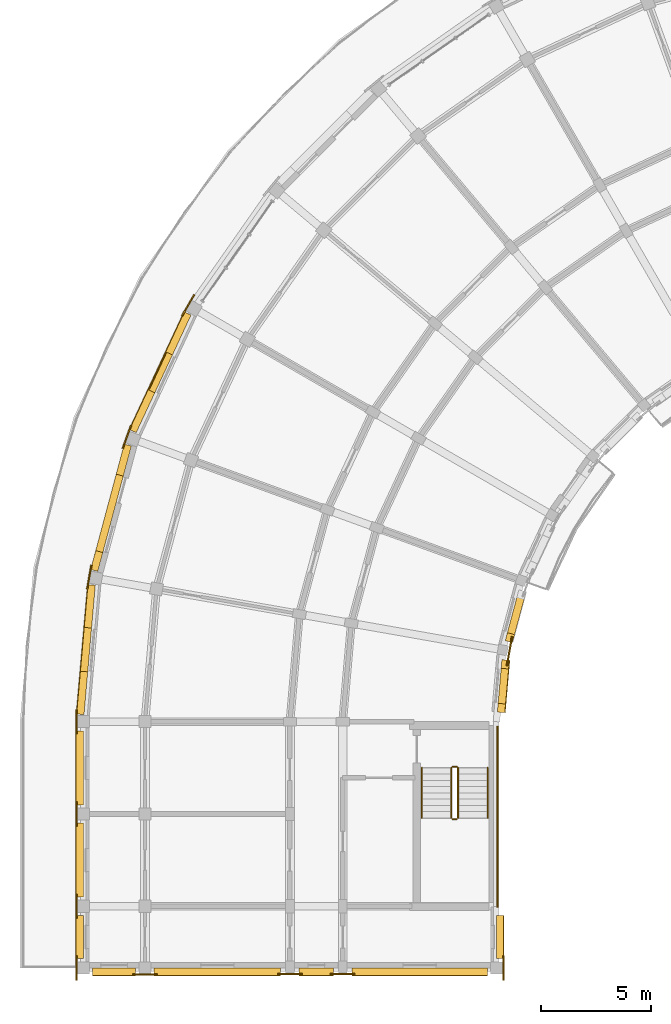
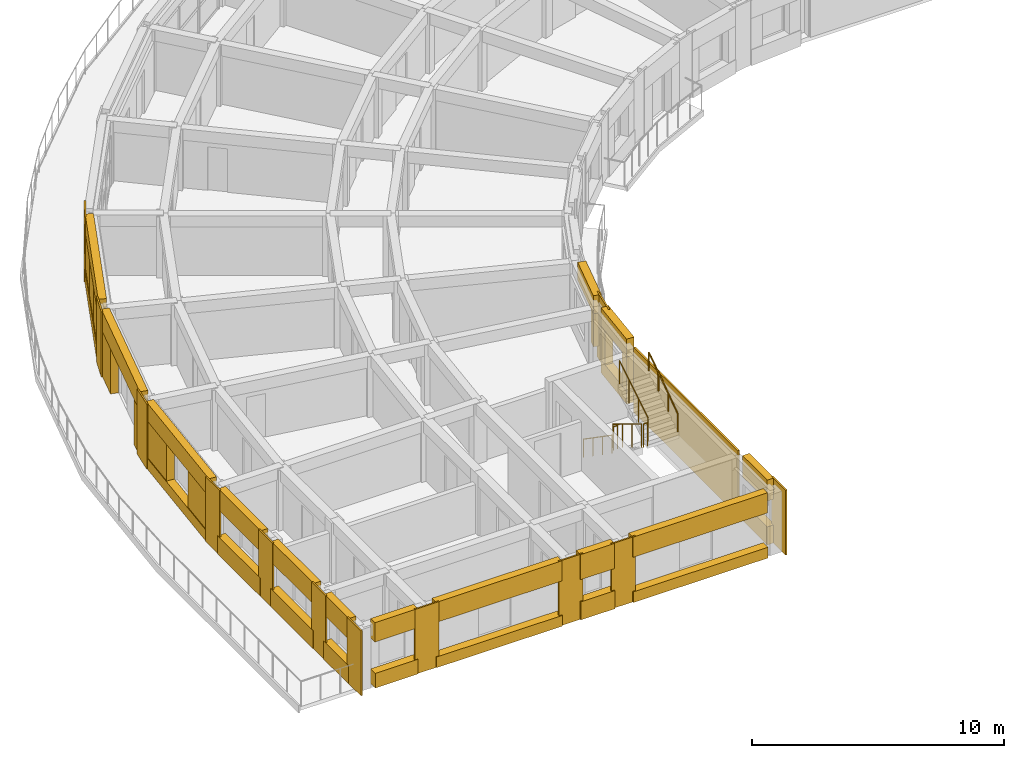
# One storey, part 12 of 16: 46 coverings, 6 railings, 1 shading device.
"""IFC4 building model written with IfcOpenShell, lengths in metres."""

from ifc_helpers import new_model, si_unit, direction, frame, origin, origin_2d, place, context, subcontext, project, spatial, polyline, rectangle, circle, outline, extrude, material, layer, layer_set, type_object, element, save


model = new_model("IFC4")

# Units and contexts
model_context = context("Model", 3, precision=1e-05, world=origin(), true_north=direction((0.0, 1.0)))
body_context = subcontext(model_context, "Body", "Model", "MODEL_VIEW")
ifc_project = project(units=[si_unit("LENGTHUNIT", "METRE"), si_unit("AREAUNIT", "SQUARE_METRE"), si_unit("VOLUMEUNIT", "CUBIC_METRE"), si_unit("PLANEANGLEUNIT", "RADIAN"), si_unit("MASSUNIT", "GRAM", prefix="KILO")], contexts=[model_context])

# Site, building, storey
site_placement = place(None, origin())
site = spatial("IfcSite", under=ifc_project, at=site_placement, CompositionType="ELEMENT")
building_placement = place(site_placement, origin())
building = spatial("IfcBuilding", under=site, at=building_placement, Name="Kiranvali Square Residences", CompositionType="ELEMENT")
storey_placement = place(building_placement, frame((0.0, 0.0, 46.5)))
storey = spatial("IfcBuildingStorey", under=building, at=storey_placement, Name="L14", CompositionType="ELEMENT", Elevation=46.5)

# Coverings
ifc_material_1 = material(Name="Honed Porbandar limestone ashlar facade cladding", Category="masonry")
ifc_layer_1 = layer(ifc_material_1, 0.3798828125)
ifc_layer_set_1 = layer_set([ifc_layer_1], Name="Honed Porbandar limestone ashlar facade cladding")
covering_type_1 = type_object("IfcCoveringType", Name="COV-CLAD-JAMB", PredefinedType="CLADDING", material=ifc_layer_set_1)
covering_1_placement = place(storey_placement, frame((0.0, 0.0, 0.6298828125)))
element("IfcCovering", 1, at=covering_1_placement, inside=storey, type_object=covering_type_1, Name="L14 deep limestone window jamb reveal A-L14-CRV-06.L", PredefinedType="CLADDING", context=body_context, shape_type="SweptSolid", body=[
    extrude(outline(polyline([(15.196533203125, 106.447021484375), (14.350341796875, 104.632568359375), (14.653564453125, 104.4912109375), (15.499755859375, 106.3056640625), (15.196533203125, 106.447021484375)])), origin(), (0.0, 0.0, 1.0), 1.650146484375),
])
covering_2_placement = place(storey_placement, frame((0.0, 0.0, 0.6298828125)))
element("IfcCovering", 2, at=covering_2_placement, inside=storey, type_object=covering_type_1, Name="L14 deep limestone window jamb reveal A-L14-CRV-06.R", PredefinedType="CLADDING", context=body_context, shape_type="SweptSolid", body=[
    extrude(outline(polyline([(13.54736328125, 102.91064453125), (12.701171875, 101.09619140625), (13.00439453125, 100.954833984375), (13.8505859375, 102.769287109375), (13.54736328125, 102.91064453125)])), origin(), (0.0, 0.0, 1.0), 1.650146484375),
])
covering_3_placement = place(storey_placement, origin())
element("IfcCovering", 3, at=covering_3_placement, inside=storey, type_object=covering_type_1, Name="L14 deep limestone window jamb reveal A-L14-CRV-07.L", PredefinedType="CLADDING", context=body_context, shape_type="SweptSolid", body=[
    extrude(outline(polyline([(12.4599609375, 100.432861328125), (12.09326171875, 99.064453125), (12.416259765625, 98.97802734375), (12.782958984375, 100.34619140625), (12.4599609375, 100.432861328125)])), origin(), (0.0, 0.0, 1.0), 2.179931640625),
])
covering_4_placement = place(storey_placement, origin())
element("IfcCovering", 4, at=covering_4_placement, inside=storey, type_object=covering_type_1, Name="L14 deep limestone window jamb reveal A-L14-CRV-07.R", PredefinedType="CLADDING", context=body_context, shape_type="SweptSolid", body=[
    extrude(outline(polyline([(11.160888671875, 95.584716796875), (10.931640625, 94.729736328125), (11.2548828125, 94.643310546875), (11.48388671875, 95.498046875), (11.160888671875, 95.584716796875)])), origin(), (0.0, 0.0, 1.0), 2.179931640625),
])
covering_5_placement = place(storey_placement, frame((0.0, 0.0, 0.530029296875)))
element("IfcCovering", 5, at=covering_5_placement, inside=storey, type_object=covering_type_1, Name="L14 deep limestone window jamb reveal A-L14-CRV-08.L", PredefinedType="CLADDING", context=body_context, shape_type="SweptSolid", body=[
    extrude(outline(polyline([(10.80908203125, 94.03466796875), (10.63916015625, 92.090087890625), (10.97216796875, 92.060791015625), (11.142333984375, 94.00537109375), (10.80908203125, 94.03466796875)])), origin(), (0.0, 0.0, 1.0), 1.75),
])
covering_6_placement = place(storey_placement, frame((0.0, 0.0, 0.530029296875)))
element("IfcCovering", 6, at=covering_6_placement, inside=storey, type_object=covering_type_1, Name="L14 deep limestone window jamb reveal A-L14-CRV-08.R", PredefinedType="CLADDING", context=body_context, shape_type="SweptSolid", body=[
    extrude(outline(polyline([(10.46484375, 90.09765625), (10.294677734375, 88.153076171875), (10.6279296875, 88.123779296875), (10.7978515625, 90.068359375), (10.46484375, 90.09765625)])), origin(), (0.0, 0.0, 1.0), 1.75),
])
covering_7_placement = place(storey_placement, frame((0.0, 0.0, 0.672119140625)))
element("IfcCovering", 7, at=covering_7_placement, inside=storey, type_object=covering_type_1, Name="L14 deep limestone window jamb reveal A-L14-GDN-07.R", PredefinedType="CLADDING", context=body_context, shape_type="SweptSolid", body=[
    extrude(outline(polyline([(29.896728515625, 91.850341796875), (29.800048828125, 91.489501953125), (30.1279296875, 91.401611328125), (30.224609375, 91.762451171875), (29.896728515625, 91.850341796875)])), origin(), (0.0, 0.0, 1.0), 1.599853515625),
])
covering_8_placement = place(storey_placement, frame((0.0, 0.0, 0.6220703125)))
element("IfcCovering", 8, at=covering_8_placement, inside=storey, type_object=covering_type_1, Name="L14 deep limestone window jamb reveal A-L14-GDN-08.L", PredefinedType="CLADDING", context=body_context, shape_type="SweptSolid", body=[
    extrude(outline(polyline([(29.647705078125, 90.626220703125), (29.613037109375, 90.229248046875), (29.951171875, 90.19970703125), (29.986083984375, 90.5966796875), (29.647705078125, 90.626220703125)])), origin(), (0.0, 0.0, 1.0), 1.64990234375),
])
covering_9_placement = place(storey_placement, frame((0.0, 0.0, 0.6220703125)))
element("IfcCovering", 9, at=covering_9_placement, inside=storey, type_object=covering_type_1, Name="L14 deep limestone window jamb reveal A-L14-GDN-08.R", PredefinedType="CLADDING", context=body_context, shape_type="SweptSolid", body=[
    extrude(outline(polyline([(29.4736328125, 88.63525390625), (29.43896484375, 88.23828125), (29.777099609375, 88.208740234375), (29.811767578125, 88.605712890625), (29.4736328125, 88.63525390625)])), origin(), (0.0, 0.0, 1.0), 1.64990234375),
])
ifc_layer_2 = layer(ifc_material_1, 0.06494140625)
ifc_layer_set_2 = layer_set([ifc_layer_2], Name="Honed Porbandar limestone ashlar facade cladding")
covering_type_2 = type_object("IfcCoveringType", Name="COV-CLAD-PIER", PredefinedType="CLADDING", material=ifc_layer_set_2)
covering_10_placement = place(storey_placement, frame((0.0, 0.0, 0.0048828125)))
element("IfcCovering", 10, at=covering_10_placement, inside=storey, type_object=covering_type_2, Name="L14 Classical limestone corner pilaster CLAD-PR-A-L14-A06", PredefinedType="CLADDING", context=body_context, shape_type="SweptSolid", body=[
    extrude(outline(polyline([(15.617919921875, 107.252197265625), (15.06298828125, 106.290771484375), (15.121337890625, 106.257080078125), (15.67626953125, 107.218505859375), (15.617919921875, 107.252197265625)])), origin(), (0.0, 0.0, 1.0), 3.14013671875),
])
covering_11_placement = place(storey_placement, frame((0.0, 0.0, 0.0048828125)))
element("IfcCovering", 11, at=covering_11_placement, inside=storey, type_object=covering_type_2, Name="L14 Classical limestone corner pilaster CLAD-PR-A-L14-A07", PredefinedType="CLADDING", context=body_context, shape_type="SweptSolid", body=[
    extrude(outline(polyline([(12.735107421875, 101.298828125), (12.35546875, 100.255859375), (12.4189453125, 100.232666015625), (12.798583984375, 101.275634765625), (12.735107421875, 101.298828125)])), origin(), (0.0, 0.0, 1.0), 3.14013671875),
])
covering_12_placement = place(storey_placement, frame((0.0, 0.0, 0.0048828125)))
element("IfcCovering", 12, at=covering_12_placement, inside=storey, type_object=covering_type_2, Name="L14 Classical limestone corner pilaster CLAD-PR-A-L14-A08", PredefinedType="CLADDING", context=body_context, shape_type="SweptSolid", body=[
    extrude(outline(polyline([(10.929931640625, 94.935302734375), (10.737060546875, 93.842041015625), (10.803466796875, 93.830322265625), (10.996337890625, 94.923583984375), (10.929931640625, 94.935302734375)])), origin(), (0.0, 0.0, 1.0), 3.14013671875),
])
covering_13_placement = place(storey_placement, frame((0.0, 0.0, 0.0048828125)))
element("IfcCovering", 13, at=covering_13_placement, inside=storey, type_object=covering_type_2, Name="L14 Classical limestone corner pilaster CLAD-PR-A-L14-A09", PredefinedType="CLADDING", context=body_context, shape_type="SweptSolid", body=[
    extrude(outline(polyline([(10.257080078125, 88.35498046875), (10.257080078125, 87.2451171875), (10.324462890625, 87.2451171875), (10.324462890625, 88.35498046875), (10.257080078125, 88.35498046875)])), origin(), (0.0, 0.0, 1.0), 3.14013671875),
])
covering_14_placement = place(storey_placement, frame((0.0, 0.0, 0.0048828125)))
element("IfcCovering", 14, at=covering_14_placement, inside=storey, type_object=covering_type_2, Name="Block A L14 Arm 2 stair limestone ashlar cladding", PredefinedType="CLADDING", context=body_context, shape_type="SweptSolid", body=[
    extrude(outline(polyline([(29.402099609375, 87.60009765625), (29.402099609375, 79.35009765625), (29.47998046875, 79.35009765625), (29.47998046875, 87.60009765625), (29.402099609375, 87.60009765625)])), origin(), (0.0, 0.0, 1.0), 3.14013671875),
])
ifc_layer_3 = layer(ifc_material_1, 0.050048828125)
ifc_layer_set_3 = layer_set([ifc_layer_3], Name="Honed Porbandar limestone ashlar facade cladding")
covering_type_3 = type_object("IfcCoveringType", Name="COV-CLAD-PIER-IN", PredefinedType="CLADDING", material=ifc_layer_set_3)
covering_15_placement = place(storey_placement, frame((0.0, 0.0, 0.0048828125)))
element("IfcCovering", 15, at=covering_15_placement, inside=storey, type_object=covering_type_3, Name="L14 Classical garden courtyard pilaster CLAD-PRIN-A-L14-A08", PredefinedType="CLADDING", context=body_context, shape_type="SweptSolid", body=[
    extrude(outline(polyline([(29.90625, 90.34033203125), (30.140625, 91.669677734375), (30.07421875, 91.681396484375), (29.839599609375, 90.35205078125), (29.90625, 90.34033203125)])), origin(), (0.0, 0.0, 1.0), 3.14013671875),
])
covering_16_placement = place(storey_placement, frame((0.0, 0.0, 0.0048828125)))
element("IfcCovering", 16, at=covering_16_placement, inside=storey, type_object=covering_type_3, Name="L14 Classical limestone pilaster casing CLAD-PRA2I-A-L14-V112", PredefinedType="CLADDING", context=body_context, shape_type="SweptSolid", body=[
    extrude(outline(polyline([(29.675537109375, 77.155029296875), (29.675537109375, 76.044921875), (29.742919921875, 76.044921875), (29.742919921875, 77.155029296875), (29.675537109375, 77.155029296875)])), origin(), (0.0, 0.0, 1.0), 3.14013671875),
])
ifc_layer_4 = layer(ifc_material_1, 0.054931640625)
ifc_layer_set_4 = layer_set([ifc_layer_4], Name="Honed Porbandar limestone ashlar facade cladding")
covering_type_4 = type_object("IfcCoveringType", Name="COV-CLAD-PIER-UP", PredefinedType="CLADDING", material=ifc_layer_set_4)
covering_17_placement = place(storey_placement, frame((0.0, 0.0, 0.0048828125)))
element("IfcCovering", 17, at=covering_17_placement, inside=storey, type_object=covering_type_4, Name="L14 Classical limestone pilaster casing CLAD-PR-A-L14-V42", PredefinedType="CLADDING", context=body_context, shape_type="SweptSolid", body=[
    extrude(outline(polyline([(10.257080078125, 84.155029296875), (10.257080078125, 83.044921875), (10.324462890625, 83.044921875), (10.324462890625, 84.155029296875), (10.257080078125, 84.155029296875)])), origin(), (0.0, 0.0, 1.0), 3.14013671875),
])
covering_18_placement = place(storey_placement, frame((0.0, 0.0, 0.0048828125)))
element("IfcCovering", 18, at=covering_18_placement, inside=storey, type_object=covering_type_4, Name="L14 Classical limestone pilaster casing CLAD-PR-A-L14-V84", PredefinedType="CLADDING", context=body_context, shape_type="SweptSolid", body=[
    extrude(outline(polyline([(10.257080078125, 79.955078125), (10.257080078125, 78.844970703125), (10.324462890625, 78.844970703125), (10.324462890625, 79.955078125), (10.257080078125, 79.955078125)])), origin(), (0.0, 0.0, 1.0), 3.14013671875),
])
covering_19_placement = place(storey_placement, frame((0.0, 0.0, 0.0048828125)))
element("IfcCovering", 19, at=covering_19_placement, inside=storey, type_object=covering_type_4, Name="L14 Classical limestone pilaster casing CLAD-PR-A-L14-V112", PredefinedType="CLADDING", context=body_context, shape_type="SweptSolid", body=[
    extrude(outline(polyline([(10.257080078125, 77.155029296875), (10.257080078125, 76.044921875), (10.324462890625, 76.044921875), (10.324462890625, 77.155029296875), (10.257080078125, 77.155029296875)])), origin(), (0.0, 0.0, 1.0), 3.14013671875),
])
covering_20_placement = place(storey_placement, frame((0.0, 0.0, 0.0048828125)))
element("IfcCovering", 20, at=covering_20_placement, inside=storey, type_object=covering_type_4, Name="L14 Classical limestone pilaster casing CLAD-PRA2E-A-L14-R258", PredefinedType="CLADDING", context=body_context, shape_type="SweptSolid", body=[
    extrude(outline(polyline([(22.955078125, 76.349609375), (21.844970703125, 76.349609375), (21.844970703125, 76.281982421875), (22.955078125, 76.281982421875), (22.955078125, 76.349609375)])), origin(), (0.0, 0.0, 1.0), 3.14013671875),
])
covering_21_placement = place(storey_placement, frame((0.0, 0.0, 0.0048828125)))
element("IfcCovering", 21, at=covering_21_placement, inside=storey, type_object=covering_type_4, Name="L14 Classical limestone pilaster casing CLAD-PRA2E-A-L14-R282", PredefinedType="CLADDING", context=body_context, shape_type="SweptSolid", body=[
    extrude(outline(polyline([(20.554931640625, 76.349609375), (19.445068359375, 76.349609375), (19.445068359375, 76.281982421875), (20.554931640625, 76.281982421875), (20.554931640625, 76.349609375)])), origin(), (0.0, 0.0, 1.0), 3.14013671875),
])
covering_22_placement = place(storey_placement, frame((0.0, 0.0, 0.0048828125)))
element("IfcCovering", 22, at=covering_22_placement, inside=storey, type_object=covering_type_4, Name="L14 Classical limestone pilaster casing CLAD-PRA2E-A-L14-R348", PredefinedType="CLADDING", context=body_context, shape_type="SweptSolid", body=[
    extrude(outline(polyline([(13.955078125, 76.324462890625), (12.844970703125, 76.324462890625), (12.844970703125, 76.257080078125), (13.955078125, 76.257080078125), (13.955078125, 76.324462890625)])), origin(), (0.0, 0.0, 1.0), 3.14013671875),
])
ifc_layer_5 = layer(ifc_material_1, 0.360107421875)
ifc_layer_set_5 = layer_set([ifc_layer_5], Name="Honed Porbandar limestone ashlar facade cladding")
covering_type_5 = type_object("IfcCoveringType", Name="COV-CLAD-WALL", PredefinedType="CLADDING", material=ifc_layer_set_5)
covering_23_placement = place(storey_placement, frame((0.0, 0.0, 2.280029296875)))
element("IfcCovering", 23, at=covering_23_placement, inside=storey, type_object=covering_type_5, Name="L14 light limestone spandrel lintel A-L14-CRV-06", PredefinedType="CLADDING", context=body_context, shape_type="SweptSolid", body=[
    extrude(outline(polyline([(15.196533203125, 106.447021484375), (12.701171875, 101.09619140625), (13.00439453125, 100.954833984375), (15.499755859375, 106.3056640625), (15.196533203125, 106.447021484375)])), origin(), (0.0, 0.0, 1.0), 0.864990234375),
])
covering_24_placement = place(storey_placement, frame((0.0, 0.0, 2.179931640625)))
element("IfcCovering", 24, at=covering_24_placement, inside=storey, type_object=covering_type_5, Name="L14 light limestone spandrel lintel A-L14-CRV-07", PredefinedType="CLADDING", context=body_context, shape_type="SweptSolid", body=[
    extrude(outline(polyline([(12.4599609375, 100.432861328125), (10.931640625, 94.729736328125), (11.2548828125, 94.643310546875), (12.782958984375, 100.34619140625), (12.4599609375, 100.432861328125)])), origin(), (0.0, 0.0, 1.0), 0.965087890625),
])
covering_25_placement = place(storey_placement, frame((0.0, 0.0, 2.280029296875)))
element("IfcCovering", 25, at=covering_25_placement, inside=storey, type_object=covering_type_5, Name="L14 light limestone spandrel lintel A-L14-CRV-08", PredefinedType="CLADDING", context=body_context, shape_type="SweptSolid", body=[
    extrude(outline(polyline([(10.80908203125, 94.03466796875), (10.294677734375, 88.153076171875), (10.6279296875, 88.123779296875), (11.142333984375, 94.00537109375), (10.80908203125, 94.03466796875)])), origin(), (0.0, 0.0, 1.0), 0.864990234375),
])
covering_26_placement = place(storey_placement, frame((0.0, 0.0, 2.27197265625)))
element("IfcCovering", 26, at=covering_26_placement, inside=storey, type_object=covering_type_5, Name="L14 light limestone spandrel lintel A-L14-GDN-07", PredefinedType="CLADDING", context=body_context, shape_type="SweptSolid", body=[
    extrude(outline(polyline([(30.42041015625, 93.804931640625), (29.800048828125, 91.489501953125), (30.1279296875, 91.401611328125), (30.748291015625, 93.717041015625), (30.42041015625, 93.804931640625)])), origin(), (0.0, 0.0, 1.0), 0.873046875),
])
covering_27_placement = place(storey_placement, frame((0.0, 0.0, 2.27197265625)))
element("IfcCovering", 27, at=covering_27_placement, inside=storey, type_object=covering_type_5, Name="L14 light limestone spandrel lintel A-L14-GDN-08", PredefinedType="CLADDING", context=body_context, shape_type="SweptSolid", body=[
    extrude(outline(polyline([(29.647705078125, 90.626220703125), (29.43896484375, 88.23828125), (29.777099609375, 88.208740234375), (29.986083984375, 90.5966796875), (29.647705078125, 90.626220703125)])), origin(), (0.0, 0.0, 1.0), 0.873046875),
])
covering_28_placement = place(storey_placement, frame((0.0, 0.0, 2.1298828125)))
element("IfcCovering", 28, at=covering_28_placement, inside=storey, type_object=covering_type_5, Name="L14 light limestone spandrel lintel A-L14-A2O-0", PredefinedType="CLADDING", context=body_context, shape_type="SweptSolid", body=[
    extrude(outline(polyline([(10.27490234375, 87.3798828125), (10.27490234375, 84.02001953125), (10.599609375, 84.02001953125), (10.599609375, 87.3798828125), (10.27490234375, 87.3798828125)])), origin(), (0.0, 0.0, 1.0), 1.01513671875),
])
covering_29_placement = place(storey_placement, frame((0.0, 0.0, 2.1298828125)))
element("IfcCovering", 29, at=covering_29_placement, inside=storey, type_object=covering_type_5, Name="L14 light limestone spandrel lintel A-L14-A2O-1", PredefinedType="CLADDING", context=body_context, shape_type="SweptSolid", body=[
    extrude(outline(polyline([(10.27490234375, 83.179931640625), (10.27490234375, 79.820068359375), (10.599609375, 79.820068359375), (10.599609375, 83.179931640625), (10.27490234375, 83.179931640625)])), origin(), (0.0, 0.0, 1.0), 1.01513671875),
])
covering_30_placement = place(storey_placement, frame((0.0, 0.0, 2.1298828125)))
element("IfcCovering", 30, at=covering_30_placement, inside=storey, type_object=covering_type_5, Name="L14 light limestone spandrel lintel A-L14-A2O-2", PredefinedType="CLADDING", context=body_context, shape_type="SweptSolid", body=[
    extrude(outline(polyline([(10.27490234375, 78.97998046875), (10.27490234375, 77.02001953125), (10.599609375, 77.02001953125), (10.599609375, 78.97998046875), (10.27490234375, 78.97998046875)])), origin(), (0.0, 0.0, 1.0), 1.01513671875),
])
covering_31_placement = place(storey_placement, frame((0.0, 0.0, 2.1298828125)))
element("IfcCovering", 31, at=covering_31_placement, inside=storey, type_object=covering_type_5, Name="L14 light limestone spandrel lintel A-L14-A2I-0", PredefinedType="CLADDING", context=body_context, shape_type="SweptSolid", body=[
    extrude(outline(polyline([(29.400390625, 78.97998046875), (29.400390625, 77.02001953125), (29.719970703125, 77.02001953125), (29.719970703125, 78.97998046875), (29.400390625, 78.97998046875)])), origin(), (0.0, 0.0, 1.0), 1.01513671875),
])
covering_32_placement = place(storey_placement, frame((0.0, 0.0, 2.172119140625)))
element("IfcCovering", 32, at=covering_32_placement, inside=storey, type_object=covering_type_5, Name="L14 light limestone spandrel lintel A-L14-A2END-0", PredefinedType="CLADDING", context=body_context, shape_type="SweptSolid", body=[
    extrude(outline(polyline([(28.97998046875, 76.599609375), (22.820068359375, 76.599609375), (22.820068359375, 76.260009765625), (28.97998046875, 76.260009765625), (28.97998046875, 76.599609375)])), origin(), (0.0, 0.0, 1.0), 0.972900390625),
])
covering_33_placement = place(storey_placement, frame((0.0, 0.0, 1.929931640625)))
element("IfcCovering", 33, at=covering_33_placement, inside=storey, type_object=covering_type_5, Name="L14 light limestone spandrel lintel A-L14-A2END-1", PredefinedType="CLADDING", context=body_context, shape_type="SweptSolid", body=[
    extrude(outline(polyline([(21.97998046875, 76.599609375), (20.419921875, 76.599609375), (20.419921875, 76.260009765625), (21.97998046875, 76.260009765625), (21.97998046875, 76.599609375)])), origin(), (0.0, 0.0, 1.0), 1.215087890625),
])
covering_34_placement = place(storey_placement, frame((0.0, 0.0, 2.172119140625)))
element("IfcCovering", 34, at=covering_34_placement, inside=storey, type_object=covering_type_5, Name="L14 light limestone spandrel lintel A-L14-A2END-2", PredefinedType="CLADDING", context=body_context, shape_type="SweptSolid", body=[
    extrude(outline(polyline([(19.580078125, 76.599609375), (13.820068359375, 76.599609375), (13.820068359375, 76.260009765625), (19.580078125, 76.260009765625), (19.580078125, 76.599609375)])), origin(), (0.0, 0.0, 1.0), 0.972900390625),
])
covering_35_placement = place(storey_placement, frame((0.0, 0.0, 2.2119140625)))
element("IfcCovering", 35, at=covering_35_placement, inside=storey, type_object=covering_type_5, Name="L14 light limestone spandrel lintel A-L14-A2END-3", PredefinedType="CLADDING", context=body_context, shape_type="SweptSolid", body=[
    extrude(outline(polyline([(12.97998046875, 76.599609375), (11.02001953125, 76.599609375), (11.02001953125, 76.260009765625), (12.97998046875, 76.260009765625), (12.97998046875, 76.599609375)])), origin(), (0.0, 0.0, 1.0), 0.93310546875),
])
ifc_layer_6 = layer(ifc_material_1, 0.320068359375)
ifc_layer_set_6 = layer_set([ifc_layer_6], Name="Honed Porbandar limestone ashlar facade cladding")
covering_type_6 = type_object("IfcCoveringType", Name="COV-CLAD-WALL-UP", PredefinedType="CLADDING", material=ifc_layer_set_6)
covering_36_placement = place(storey_placement, frame((0.0, 0.0, 0.0048828125)))
element("IfcCovering", 36, at=covering_36_placement, inside=storey, type_object=covering_type_6, Name="L14 limestone window sill apron A-L14-CRV-06", PredefinedType="CLADDING", context=body_context, shape_type="SweptSolid", body=[
    extrude(outline(polyline([(15.169189453125, 106.459716796875), (12.674072265625, 101.108642578125), (13.00439453125, 100.954833984375), (15.499755859375, 106.3056640625), (15.169189453125, 106.459716796875)])), origin(), (0.0, 0.0, 1.0), 0.625),
])
covering_37_placement = place(storey_placement, frame((0.0, 0.0, 0.0048828125)))
element("IfcCovering", 37, at=covering_37_placement, inside=storey, type_object=covering_type_6, Name="L14 limestone window sill apron A-L14-CRV-08", PredefinedType="CLADDING", context=body_context, shape_type="SweptSolid", body=[
    extrude(outline(polyline([(10.779296875, 94.037109375), (10.2646484375, 88.155517578125), (10.6279296875, 88.123779296875), (11.142333984375, 94.00537109375), (10.779296875, 94.037109375)])), origin(), (0.0, 0.0, 1.0), 0.525146484375),
])
covering_38_placement = place(storey_placement, frame((0.0, 0.0, 0.0048828125)))
element("IfcCovering", 38, at=covering_38_placement, inside=storey, type_object=covering_type_6, Name="L14 limestone window sill apron A-L14-GDN-08", PredefinedType="CLADDING", context=body_context, shape_type="SweptSolid", body=[
    extrude(outline(polyline([(29.647705078125, 90.626220703125), (29.43896484375, 88.23828125), (29.806884765625, 88.2060546875), (30.015869140625, 90.593994140625), (29.647705078125, 90.626220703125)])), origin(), (0.0, 0.0, 1.0), 0.6171875),
])
covering_39_placement = place(storey_placement, frame((0.0, 0.0, 0.0048828125)))
element("IfcCovering", 39, at=covering_39_placement, inside=storey, type_object=covering_type_6, Name="L14 limestone window sill apron A-L14-A2O-0", PredefinedType="CLADDING", context=body_context, shape_type="SweptSolid", body=[
    extrude(outline(polyline([(10.2451171875, 87.3798828125), (10.2451171875, 84.02001953125), (10.599609375, 84.02001953125), (10.599609375, 87.3798828125), (10.2451171875, 87.3798828125)])), origin(), (0.0, 0.0, 1.0), 0.875),
])
covering_40_placement = place(storey_placement, frame((0.0, 0.0, 0.0048828125)))
element("IfcCovering", 40, at=covering_40_placement, inside=storey, type_object=covering_type_6, Name="L14 limestone window sill apron A-L14-A2O-1", PredefinedType="CLADDING", context=body_context, shape_type="SweptSolid", body=[
    extrude(outline(polyline([(10.2451171875, 83.179931640625), (10.2451171875, 79.820068359375), (10.599609375, 79.820068359375), (10.599609375, 83.179931640625), (10.2451171875, 83.179931640625)])), origin(), (0.0, 0.0, 1.0), 0.875),
])
covering_41_placement = place(storey_placement, frame((0.0, 0.0, 0.0048828125)))
element("IfcCovering", 41, at=covering_41_placement, inside=storey, type_object=covering_type_6, Name="L14 limestone window sill apron A-L14-A2O-2", PredefinedType="CLADDING", context=body_context, shape_type="SweptSolid", body=[
    extrude(outline(polyline([(10.2451171875, 78.97998046875), (10.2451171875, 77.02001953125), (10.599609375, 77.02001953125), (10.599609375, 78.97998046875), (10.2451171875, 78.97998046875)])), origin(), (0.0, 0.0, 1.0), 0.875),
])
covering_42_placement = place(storey_placement, frame((0.0, 0.0, 0.0048828125)))
element("IfcCovering", 42, at=covering_42_placement, inside=storey, type_object=covering_type_6, Name="L14 limestone window sill apron A-L14-A2I-0", PredefinedType="CLADDING", context=body_context, shape_type="SweptSolid", body=[
    extrude(outline(polyline([(29.400390625, 78.97998046875), (29.400390625, 77.02001953125), (29.75, 77.02001953125), (29.75, 78.97998046875), (29.400390625, 78.97998046875)])), origin(), (0.0, 0.0, 1.0), 0.875),
])
covering_43_placement = place(storey_placement, frame((0.0, 0.0, 0.0048828125)))
element("IfcCovering", 43, at=covering_43_placement, inside=storey, type_object=covering_type_6, Name="L14 limestone window sill apron A-L14-A2END-0", PredefinedType="CLADDING", context=body_context, shape_type="SweptSolid", body=[
    extrude(outline(polyline([(28.97998046875, 76.599609375), (22.820068359375, 76.599609375), (22.820068359375, 76.22998046875), (28.97998046875, 76.22998046875), (28.97998046875, 76.599609375)])), origin(), (0.0, 0.0, 1.0), 0.51708984375),
])
covering_44_placement = place(storey_placement, frame((0.0, 0.0, 0.0048828125)))
element("IfcCovering", 44, at=covering_44_placement, inside=storey, type_object=covering_type_6, Name="L14 limestone window sill apron A-L14-A2END-1", PredefinedType="CLADDING", context=body_context, shape_type="SweptSolid", body=[
    extrude(outline(polyline([(21.97998046875, 76.599609375), (20.419921875, 76.599609375), (20.419921875, 76.22998046875), (21.97998046875, 76.22998046875), (21.97998046875, 76.599609375)])), origin(), (0.0, 0.0, 1.0), 0.875),
])
covering_45_placement = place(storey_placement, frame((0.0, 0.0, 0.0048828125)))
element("IfcCovering", 45, at=covering_45_placement, inside=storey, type_object=covering_type_6, Name="L14 limestone window sill apron A-L14-A2END-2", PredefinedType="CLADDING", context=body_context, shape_type="SweptSolid", body=[
    extrude(outline(polyline([(19.580078125, 76.599609375), (13.820068359375, 76.599609375), (13.820068359375, 76.22998046875), (19.580078125, 76.22998046875), (19.580078125, 76.599609375)])), origin(), (0.0, 0.0, 1.0), 0.51708984375),
])
covering_46_placement = place(storey_placement, frame((0.0, 0.0, 0.0048828125)))
element("IfcCovering", 46, at=covering_46_placement, inside=storey, type_object=covering_type_6, Name="L14 limestone window sill apron A-L14-A2END-3", PredefinedType="CLADDING", context=body_context, shape_type="SweptSolid", body=[
    extrude(outline(polyline([(12.97998046875, 76.599609375), (11.02001953125, 76.599609375), (11.02001953125, 76.22998046875), (12.97998046875, 76.22998046875), (12.97998046875, 76.599609375)])), origin(), (0.0, 0.0, 1.0), 0.70703125),
])

# Railings
ifc_material_2 = material(Name="Brushed stainless steel tubular handrail", Category="steel")
railing_type_1 = type_object("IfcRailingType", Name="RL-HANDRAIL-900", PredefinedType="HANDRAIL", material=ifc_material_2)
railing_1_placement = place(storey_placement, frame((26.0, 85.699951171875, 0.175048828125)))
element("IfcRailing", 47, at=railing_1_placement, inside=storey, type_object=railing_type_1, Name="L14 ST-A3 stair handrail 1", PredefinedType="HANDRAIL", context=body_context, shape_type="SweptSolid", body=[
    extrude(circle(Radius=0.02392578125, at=origin_2d()), frame((0.0, 0.0, 0.8759765625), z_axis=(0.0, -0.82278801735, 0.568348377763), x_axis=(1.0, 0.0, 0.0)), (0.0, 0.0, 1.0), 2.77099609375),
    extrude(circle(Radius=0.02099609375, at=origin_2d()), origin(), (0.0, 0.0, 1.0), 0.851806640625),
    extrude(circle(Radius=0.02099609375, at=origin_2d()), frame((0.0, -0.760009765625, 0.52490234375)), (0.0, 0.0, 1.0), 0.851806640625),
    extrude(circle(Radius=0.02099609375, at=origin_2d()), frame((0.0, -1.52001953125, 1.050048828125)), (0.0, 0.0, 1.0), 0.851806640625),
    extrude(circle(Radius=0.02099609375, at=origin_2d()), frame((0.0, -2.280029296875, 1.574951171875)), (0.0, 0.0, 1.0), 0.851806640625),
])
railing_2_placement = place(storey_placement, frame((29.0, 83.419921875, 1.75)))
element("IfcRailing", 48, at=railing_2_placement, inside=storey, type_object=railing_type_1, Name="L14 ST-A3 stair handrail 2", PredefinedType="HANDRAIL", context=body_context, shape_type="SweptSolid", body=[
    extrude(circle(Radius=0.02392578125, at=origin_2d()), frame((0.0, 0.0, 0.8759765625), z_axis=(0.0, 0.82278801735, 0.568348377763), x_axis=(-1.0, 0.0, 0.0)), (0.0, 0.0, 1.0), 2.77099609375),
    extrude(circle(Radius=0.02099609375, at=origin_2d()), origin(), (0.0, 0.0, 1.0), 0.851806640625),
    extrude(circle(Radius=0.02099609375, at=origin_2d()), frame((0.0, 0.760009765625, 0.52490234375)), (0.0, 0.0, 1.0), 0.851806640625),
    extrude(circle(Radius=0.02099609375, at=origin_2d()), frame((0.0, 1.52001953125, 1.050048828125)), (0.0, 0.0, 1.0), 0.851806640625),
    extrude(circle(Radius=0.02099609375, at=origin_2d()), frame((0.0, 2.280029296875, 1.574951171875)), (0.0, 0.0, 1.0), 0.851806640625),
])
ifc_material_3 = material(Name="Powder-coated architectural bronze balustrade", Category="steel")
railing_type_2 = type_object("IfcRailingType", Name="RL-ST-GUARD-1200", PredefinedType="GUARDRAIL", material=ifc_material_3)
railing_3_placement = place(storey_placement, frame((27.35009765625, 85.699951171875, 0.175048828125)))
element("IfcRailing", 49, at=railing_3_placement, inside=storey, type_object=railing_type_2, Name="L14 ST-A3 stair guard 1", PredefinedType="GUARDRAIL", context=body_context, shape_type="SweptSolid", body=[
    extrude(circle(Radius=0.02392578125, at=origin_2d()), frame((0.0, 0.0, 1.1259765625), z_axis=(0.0, -0.852190499154, 0.523231643875), x_axis=(1.0, 0.0, 0.0)), (0.0, 0.0, 1.0), 2.675537109375),
    extrude(circle(Radius=0.02099609375, at=origin_2d()), origin(), (0.0, 0.0, 1.0), 1.101806640625),
    extrude(circle(Radius=0.02099609375, at=origin_2d()), frame((0.0, -0.760009765625, 0.466552734375)), (0.0, 0.0, 1.0), 1.101806640625),
    extrude(circle(Radius=0.02099609375, at=origin_2d()), frame((0.0, -1.52001953125, 0.933349609375)), (0.0, 0.0, 1.0), 1.101806640625),
    extrude(circle(Radius=0.02099609375, at=origin_2d()), frame((0.0, -2.280029296875, 1.39990234375)), (0.0, 0.0, 1.0), 1.101806640625),
])
railing_4_placement = place(storey_placement, frame((27.39990234375, 83.3701171875, 1.574951171875)))
element("IfcRailing", 50, at=railing_4_placement, inside=storey, type_object=railing_type_2, Name="L14 ST-A3 stair guard 2", PredefinedType="GUARDRAIL", context=body_context, shape_type="SweptSolid", body=[
    extrude(circle(Radius=0.02392578125, at=origin_2d()), frame((0.0, 0.0, 1.1259765625), z_axis=(1.0, 0.0, 0.0), x_axis=(0.0, 1.0, 0.0)), (0.0, 0.0, 1.0), 0.2001953125),
    extrude(circle(Radius=0.02099609375, at=origin_2d()), origin(), (0.0, 0.0, 1.0), 1.101806640625),
    extrude(circle(Radius=0.02099609375, at=origin_2d()), frame((0.2001953125, 0.0, 0.0)), (0.0, 0.0, 1.0), 1.101806640625),
])
railing_5_placement = place(storey_placement, frame((27.64990234375, 83.419921875, 1.75)))
element("IfcRailing", 51, at=railing_5_placement, inside=storey, type_object=railing_type_2, Name="L14 ST-A3 stair guard 3", PredefinedType="GUARDRAIL", context=body_context, shape_type="SweptSolid", body=[
    extrude(circle(Radius=0.02392578125, at=origin_2d()), frame((0.0, 0.0, 1.1259765625), z_axis=(0.0, 0.852190499154, 0.523231643875), x_axis=(-1.0, 0.0, 0.0)), (0.0, 0.0, 1.0), 2.675537109375),
    extrude(circle(Radius=0.02099609375, at=origin_2d()), origin(), (0.0, 0.0, 1.0), 1.101806640625),
    extrude(circle(Radius=0.02099609375, at=origin_2d()), frame((0.0, 0.760009765625, 0.466552734375)), (0.0, 0.0, 1.0), 1.101806640625),
    extrude(circle(Radius=0.02099609375, at=origin_2d()), frame((0.0, 1.52001953125, 0.933349609375)), (0.0, 0.0, 1.0), 1.101806640625),
    extrude(circle(Radius=0.02099609375, at=origin_2d()), frame((0.0, 2.280029296875, 1.39990234375)), (0.0, 0.0, 1.0), 1.101806640625),
])
railing_6_placement = place(storey_placement, frame((27.39990234375, 85.75, 0.0)))
element("IfcRailing", 52, at=railing_6_placement, inside=storey, type_object=railing_type_2, Name="L14 ST-A3 stair guard 4", PredefinedType="GUARDRAIL", context=body_context, shape_type="SweptSolid", body=[
    extrude(circle(Radius=0.02392578125, at=origin_2d()), frame((0.0, 0.0, 1.1259765625), z_axis=(1.0, 0.0, 0.0), x_axis=(0.0, 1.0, 0.0)), (0.0, 0.0, 1.0), 0.2001953125),
    extrude(circle(Radius=0.02099609375, at=origin_2d()), origin(), (0.0, 0.0, 1.0), 1.101806640625),
    extrude(circle(Radius=0.02099609375, at=origin_2d()), frame((0.2001953125, 0.0, 0.0)), (0.0, 0.0, 1.0), 1.101806640625),
])

# Shading device
ifc_material_4 = material(Name="Pierced buff sandstone architectural mashrabiya solar screen", Category="masonry")
shading_device_type = type_object("IfcShadingDeviceType", Name="SHD-JALI-1800", PredefinedType="JALOUSIE", material=ifc_material_4)
shading_device_placement = place(storey_placement, frame((13.967041015625, 103.76318359375, 0.630126953125), z_axis=(0.0, 0.0, 1.0), x_axis=(-0.422618261741, -0.906307787037, 0.0)))
element("IfcShadingDevice", 53, at=shading_device_placement, inside=storey, type_object=shading_device_type, Name="L14 carved stone Mashrabiya screen A-L14-CRV-06", PredefinedType="JALOUSIE", context=body_context, shape_type="SweptSolid", body=[
    extrude(rectangle(XDim=1.800048828125, YDim=0.044921875, at=origin_2d()), origin(), (0.0, 0.0, 1.0), 1.64990234375),
])

save(model, "model.ifc")
